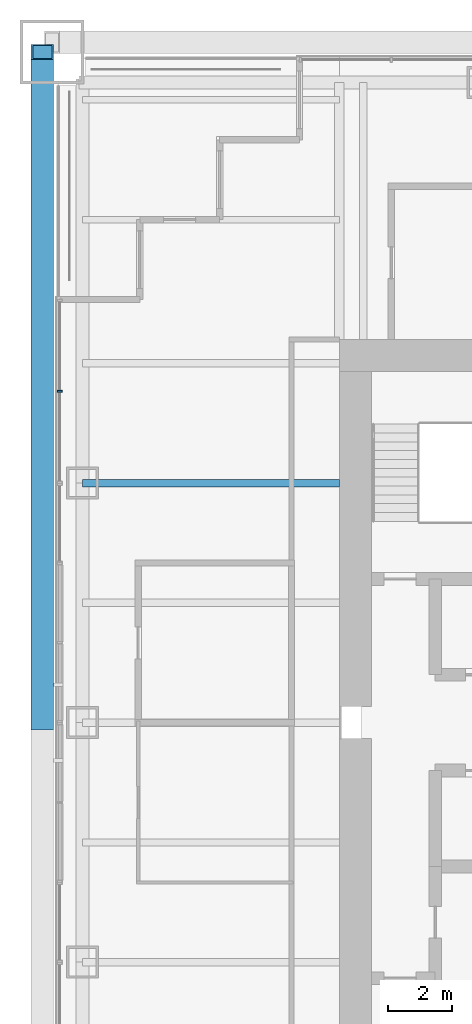
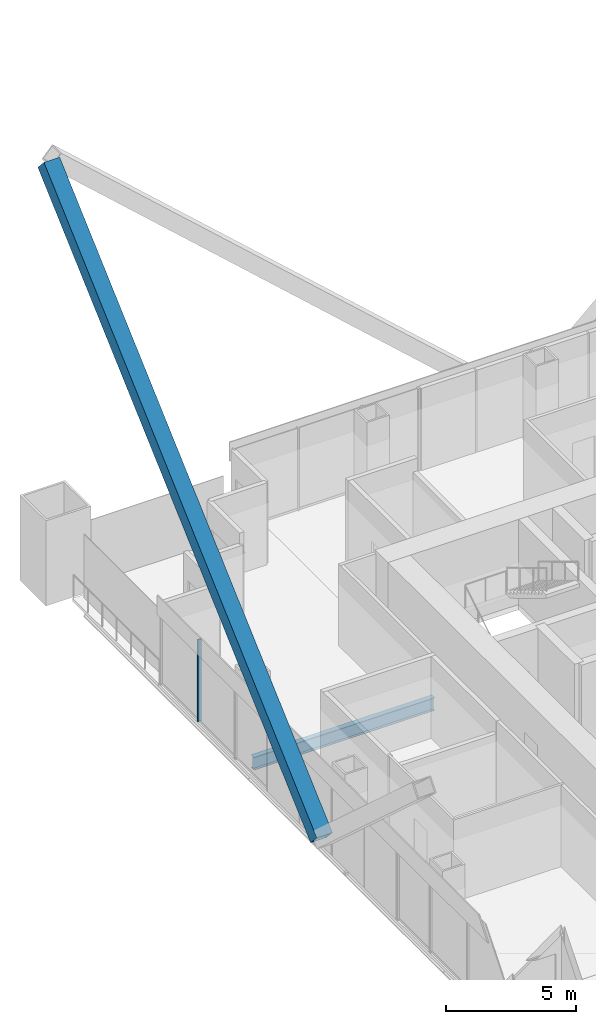
# One storey, part 6 of 17: 2 members, 1 beam, 1 element without a shape of its own.
"""IFC4 building model written with IfcOpenShell, lengths in metres."""

from ifc_helpers import new_model, si_unit, direction, frame, origin, origin_2d, place, context, subcontext, project, spatial, rectangle, hollow_rectangle, i_section, extrude, material, material_profile, profile_set, type_object, element, aggregate, save


model = new_model("IFC4")

# Units and contexts
model_context = context("Model", 3, precision=1e-05, world=origin(), true_north=direction((0.0, 1.0)))
body_context = subcontext(model_context, "Body", "Model", "MODEL_VIEW")
ifc_project = project(units=[si_unit("LENGTHUNIT", "METRE"), si_unit("AREAUNIT", "SQUARE_METRE"), si_unit("VOLUMEUNIT", "CUBIC_METRE"), si_unit("PLANEANGLEUNIT", "RADIAN"), si_unit("MASSUNIT", "GRAM", prefix="KILO")], contexts=[model_context])

# Site, building, storey
site_placement = place(None, origin())
site = spatial("IfcSite", under=ifc_project, at=site_placement, CompositionType="ELEMENT")
building_placement = place(site_placement, origin())
building = spatial("IfcBuilding", under=site, at=building_placement, Name="Tarangal Relay Tower", CompositionType="ELEMENT")
storey_placement = place(building_placement, frame((0.0, 0.0, 315.89990234375)))
storey = spatial("IfcBuildingStorey", under=building, at=storey_placement, Name="L70", CompositionType="ELEMENT", Elevation=315.89990234375)

# Beam
ifc_material_1 = material(Name="Steel ASTM A992", Category="steel")
ifc_material_profile_1 = material_profile(ifc_material_1, i_section(OverallWidth=0.228271484375, OverallDepth=0.607177734375, WebThickness=0.01123046875, FlangeThickness=0.017333984375, at=origin_2d()), Name="W24X76")
ifc_profile_set_1 = profile_set([ifc_material_profile_1], Name="Steel ASTM A992")
beam_type = type_object("IfcBeamType", Name="Floor beam W24X76", PredefinedType="BEAM", material=ifc_profile_set_1)
beam_placement = place(storey_placement, frame((-12.0, 7.5, -0.453369140625), z_axis=(-1.0, 0.0, 0.0), x_axis=(0.0, -1.0, 0.0)))
element("IfcBeam", 1, at=beam_placement, inside=storey, type_object=beam_type, Name="Floor beam RB5 W L70", PredefinedType="BEAM", context=body_context, shape_type="SweptSolid", body=[
    extrude(i_section(OverallWidth=0.228271484375, OverallDepth=0.607177734375, WebThickness=0.01123046875, FlangeThickness=0.017333984375, at=origin_2d()), origin(), (0.0, 0.0, 1.0), 8.0400390625),
])

# Member
ifc_material_2 = material(Name="Steel ASTM A572 Grade 50", Category="steel")
ifc_material_profile_2 = material_profile(ifc_material_2, hollow_rectangle(XDim=0.699951171875, YDim=0.699951171875, WallThickness=0.052001953125, at=origin_2d()), Name="BOX700X700X52")
ifc_profile_set_2 = profile_set([ifc_material_profile_2], Name="Steel ASTM A572 Grade 50")
member_type_1 = type_object("IfcMemberType", Name="Mega brace BOX700X700X52", PredefinedType="BRACE", material=ifc_profile_set_2)
member_1_placement = place(storey_placement, frame((-21.300048828125, 0.0, 1.0), z_axis=(0.0, 0.741535779124, 0.670913323969), x_axis=(-1.0, 0.0, 0.0)))
element("IfcMember", 2, at=member_1_placement, inside=storey, type_object=member_type_1, Name="Mega brace MB4 W face module 2", PredefinedType="BRACE", context=body_context, shape_type="SweptSolid", body=[
    extrude(hollow_rectangle(XDim=0.699951171875, YDim=0.699951171875, WallThickness=0.052001953125, at=origin_2d()), origin(), (0.0, 0.0, 1.0), 28.319580078125),
])

# Curtain wall, member
ifc_material_3 = material(Name="Unitised curtain wall, dark glass and black aluminium", Category="aluminium")
curtain_wall_type = type_object("IfcCurtainWallType", Name="Curtain wall CW-B", PredefinedType="USERDEFINED", material=ifc_material_3)
curtain_wall_placement = place(storey_placement, origin())
curtain_wall = element("IfcCurtainWall", 3, at=curtain_wall_placement, inside=storey, type_object=curtain_wall_type, Name="Curtain wall CW-B W facade L70", ObjectType="UNITISED CURTAIN WALL", PredefinedType="USERDEFINED")
ifc_material_4 = material(Name="Black anodised aluminium mullion", Category="aluminium")
ifc_material_profile_3 = material_profile(ifc_material_4, rectangle(XDim=0.159912109375, YDim=0.06005859375, at=origin_2d()), Name="CW-BM 60X160")
ifc_profile_set_3 = profile_set([ifc_material_profile_3], Name="Black anodised aluminium mullion")
member_type_2 = type_object("IfcMemberType", Name="Mullion CW-B 60 x 160", PredefinedType="MULLION", material=ifc_profile_set_3)
member_2_placement = place(storey_placement, frame((-20.75, 10.375, 0.0), z_axis=(0.0, 0.0, 1.0), x_axis=(-1.0, 0.0, 0.0)))
member_2 = element("IfcMember", 4, at=member_2_placement, type_object=member_type_2, Name="CW-B mullion 2", PredefinedType="MULLION", context=body_context, shape_type="SweptSolid", body=[
    extrude(rectangle(XDim=0.159912109375, YDim=0.06005859375, at=origin_2d()), origin(), (0.0, 0.0, 1.0), 3.85009765625),
])
aggregate(curtain_wall, [member_2])

save(model, "model.ifc")
